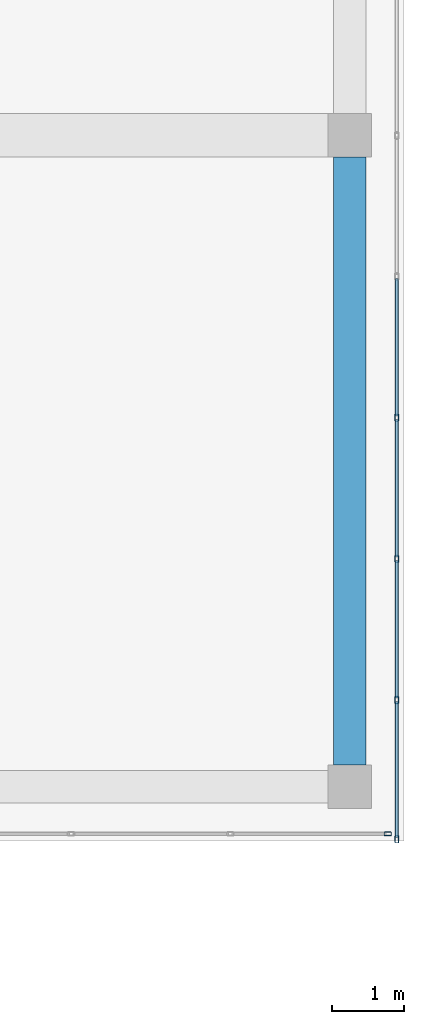
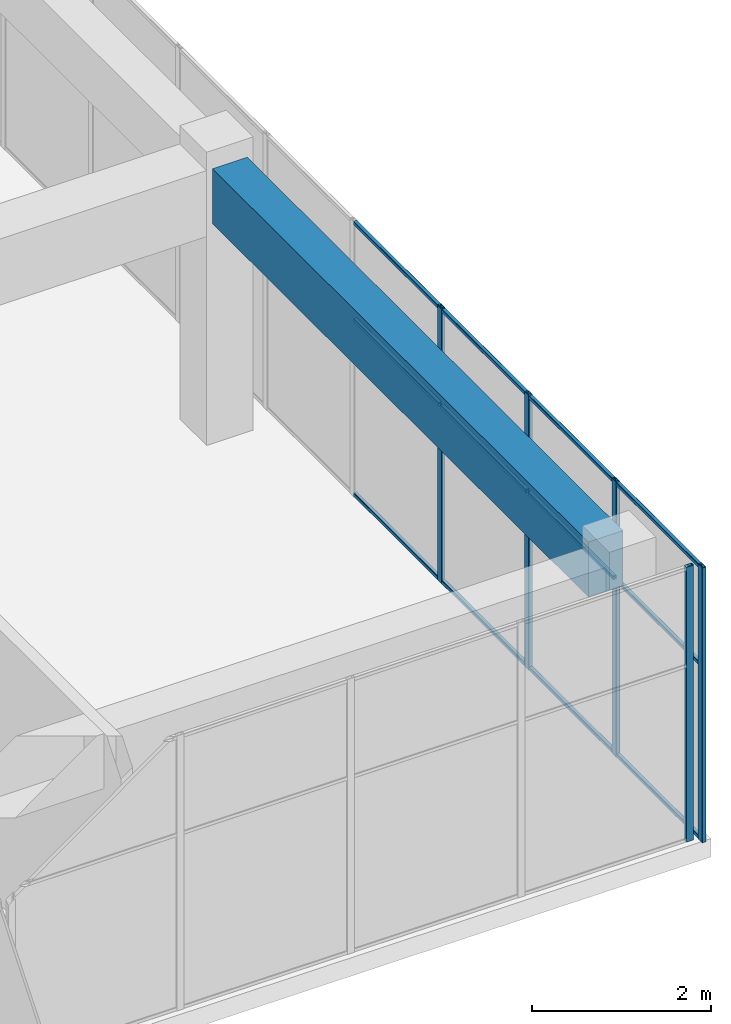
# One storey, part 17 of 35: 17 members, 1 beam, 2 elements without a shape of their own.
"""IFC4 building model written with IfcOpenShell, lengths in metres."""

from ifc_helpers import new_model, si_unit, direction, frame, origin, origin_2d, place, context, subcontext, project, spatial, rectangle, hollow_rectangle, extrude, material, layer, layer_set, material_profile, profile_set, type_object, element, aggregate, save


model = new_model("IFC4")

# Units and contexts
model_context = context("Model", 3, precision=1e-05, world=origin(), true_north=direction((0.0, 1.0)))
body_context = subcontext(model_context, "Body", "Model", "MODEL_VIEW")
ifc_project = project(units=[si_unit("LENGTHUNIT", "METRE"), si_unit("AREAUNIT", "SQUARE_METRE"), si_unit("VOLUMEUNIT", "CUBIC_METRE"), si_unit("PLANEANGLEUNIT", "RADIAN"), si_unit("MASSUNIT", "GRAM", prefix="KILO")], contexts=[model_context])

# Site, building, storey
site_placement = place(None, origin())
site = spatial("IfcSite", under=ifc_project, at=site_placement, CompositionType="ELEMENT")
building_placement = place(site_placement, origin())
building = spatial("IfcBuilding", under=site, at=building_placement, Name="Tuart Plaza Theatre", CompositionType="ELEMENT")
storey_placement = place(building_placement, frame((0.0, 0.0, 45.5)))
storey = spatial("IfcBuildingStorey", under=building, at=storey_placement, Name="L11", CompositionType="ELEMENT", Elevation=45.5)

# Beam
ifc_material_1 = material(Name="Concrete N40 (40 MPa)", Category="concrete")
ifc_material_profile_1 = material_profile(ifc_material_1, rectangle(XDim=0.449951171875, YDim=0.75, at=origin_2d()), Name="BEAM 450x750 Concrete N40 (40 MPa)")
ifc_profile_set_1 = profile_set([ifc_material_profile_1], Name="Concrete N40 (40 MPa)")
beam_type = type_object("IfcBeamType", Name="BEAM 450x750 Concrete N40 (40 MPa)", PredefinedType="BEAM", material=ifc_profile_set_1)
beam_placement = place(storey_placement, frame((150.0, 65.300048828125, 3.375), z_axis=(0.0, 1.0, 0.0), x_axis=(-1.0, 0.0, 0.0)))
element("IfcBeam", 1, at=beam_placement, inside=storey, type_object=beam_type, Name="RB309", PredefinedType="BEAM", context=body_context, shape_type="SweptSolid", body=[
    extrude(rectangle(XDim=0.449951171875, YDim=0.75, at=origin_2d()), origin(), (0.0, 0.0, 1.0), 8.39990234375),
])

# Curtain wall, member
ifc_material_2 = material(Name="Aluminium and glass", Category="aluminium")
ifc_layer = layer(ifc_material_2, 0.10009765625)
ifc_layer_set = layer_set([ifc_layer], Name="CURTAIN WALL 2000 module")
curtain_wall_type = type_object("IfcCurtainWallType", Name="CURTAIN WALL 2000 module", PredefinedType="NOTDEFINED", material=ifc_layer_set)
curtain_wall_1_placement = place(storey_placement, origin())
curtain_wall_1 = element("IfcCurtainWall", 2, at=curtain_wall_1_placement, inside=storey, type_object=curtain_wall_type, Name="CW101", PredefinedType="NOTDEFINED")
ifc_material_3 = material(Name="Aluminium 6063-T5", Category="aluminium")
ifc_material_profile_2 = material_profile(ifc_material_3, hollow_rectangle(XDim=0.050048828125, YDim=0.10009765625, WallThickness=0.00390625, InnerFilletRadius=0.00390625, OuterFilletRadius=0.008056640625, at=origin_2d()), Name="RHS 100x50x4")
ifc_profile_set_2 = profile_set([ifc_material_profile_2], Name="Aluminium 6063-T5")
member_type_1 = type_object("IfcMemberType", Name="MULLION RHS 100x50x4", PredefinedType="MULLION", material=ifc_profile_set_2)
member_1_placement = place(storey_placement, frame((150.52490234375, 64.35009765625, 0.0), z_axis=(0.0, 0.0, 1.0), x_axis=(0.0, 1.0, 0.0)))
member_1 = element("IfcMember", 3, at=member_1_placement, type_object=member_type_1, Name="CW101 mullion 5", PredefinedType="MULLION", context=body_context, shape_type="SweptSolid", body=[
    extrude(hollow_rectangle(XDim=0.050048828125, YDim=0.10009765625, WallThickness=0.00390625, InnerFilletRadius=0.00390625, OuterFilletRadius=0.008056640625, at=origin_2d()), origin(), (0.0, 0.0, 1.0), 3.75),
])
aggregate(curtain_wall_1, [member_1])

# Curtain wall, members
curtain_wall_2_placement = place(storey_placement, origin())
curtain_wall_2 = element("IfcCurtainWall", 4, at=curtain_wall_2_placement, inside=storey, type_object=curtain_wall_type, Name="CW102", PredefinedType="NOTDEFINED")
member_2_placement = place(storey_placement, frame((150.64990234375, 64.27490234375, 0.0), z_axis=(0.0, 0.0, 1.0), x_axis=(-1.0, 0.0, 0.0)))
member_2 = element("IfcMember", 5, at=member_2_placement, type_object=member_type_1, Name="CW102 mullion 1", PredefinedType="MULLION", context=body_context, shape_type="SweptSolid", body=[
    extrude(hollow_rectangle(XDim=0.050048828125, YDim=0.10009765625, WallThickness=0.00390625, InnerFilletRadius=0.00390625, OuterFilletRadius=0.008056640625, at=origin_2d()), origin(), (0.0, 0.0, 1.0), 3.75),
])
member_3_placement = place(storey_placement, frame((150.64990234375, 66.199951171875, 0.0), z_axis=(0.0, 0.0, 1.0), x_axis=(-1.0, 0.0, 0.0)))
member_3 = element("IfcMember", 6, at=member_3_placement, type_object=member_type_1, Name="CW102 mullion 2", PredefinedType="MULLION", context=body_context, shape_type="SweptSolid", body=[
    extrude(hollow_rectangle(XDim=0.050048828125, YDim=0.10009765625, WallThickness=0.00390625, InnerFilletRadius=0.00390625, OuterFilletRadius=0.008056640625, at=origin_2d()), origin(), (0.0, 0.0, 1.0), 3.75),
])
member_4_placement = place(storey_placement, frame((150.64990234375, 68.14990234375, 0.0), z_axis=(0.0, 0.0, 1.0), x_axis=(-1.0, 0.0, 0.0)))
member_4 = element("IfcMember", 7, at=member_4_placement, type_object=member_type_1, Name="CW102 mullion 3", PredefinedType="MULLION", context=body_context, shape_type="SweptSolid", body=[
    extrude(hollow_rectangle(XDim=0.050048828125, YDim=0.10009765625, WallThickness=0.00390625, InnerFilletRadius=0.00390625, OuterFilletRadius=0.008056640625, at=origin_2d()), origin(), (0.0, 0.0, 1.0), 3.75),
])
member_5_placement = place(storey_placement, frame((150.64990234375, 70.10009765625, 0.0), z_axis=(0.0, 0.0, 1.0), x_axis=(-1.0, 0.0, 0.0)))
member_5 = element("IfcMember", 8, at=member_5_placement, type_object=member_type_1, Name="CW102 mullion 4", PredefinedType="MULLION", context=body_context, shape_type="SweptSolid", body=[
    extrude(hollow_rectangle(XDim=0.050048828125, YDim=0.10009765625, WallThickness=0.00390625, InnerFilletRadius=0.00390625, OuterFilletRadius=0.008056640625, at=origin_2d()), origin(), (0.0, 0.0, 1.0), 3.75),
])
ifc_material_4 = material(Name="Aluminium 6063-T5", Category="aluminium")
ifc_material_profile_3 = material_profile(ifc_material_4, hollow_rectangle(XDim=0.050048828125, YDim=0.050048828125, WallThickness=0.00390625, InnerFilletRadius=0.00390625, OuterFilletRadius=0.008056640625, at=origin_2d()), Name="RHS 50x50x4")
ifc_profile_set_3 = profile_set([ifc_material_profile_3], Name="Aluminium 6063-T5")
member_type_2 = type_object("IfcMemberType", Name="TRANSOM RHS 50x50x4", PredefinedType="USERDEFINED", material=ifc_profile_set_3)
member_6_placement = place(storey_placement, frame((150.64990234375, 64.300048828125, 0.02490234375), z_axis=(0.0, 1.0, 0.0), x_axis=(-1.0, 0.0, 0.0)))
member_6 = element("IfcMember", 9, at=member_6_placement, type_object=member_type_2, Name="CW102 transom 1.1", ObjectType="TRANSOM", PredefinedType="USERDEFINED", context=body_context, shape_type="SweptSolid", body=[
    extrude(hollow_rectangle(XDim=0.050048828125, YDim=0.050048828125, WallThickness=0.00390625, InnerFilletRadius=0.00390625, OuterFilletRadius=0.008056640625, at=origin_2d()), origin(), (0.0, 0.0, 1.0), 1.875),
])
member_7_placement = place(storey_placement, frame((150.64990234375, 64.300048828125, 2.39990234375), z_axis=(0.0, 1.0, 0.0), x_axis=(-1.0, 0.0, 0.0)))
member_7 = element("IfcMember", 10, at=member_7_placement, type_object=member_type_2, Name="CW102 transom 1.2", ObjectType="TRANSOM", PredefinedType="USERDEFINED", context=body_context, shape_type="SweptSolid", body=[
    extrude(hollow_rectangle(XDim=0.050048828125, YDim=0.050048828125, WallThickness=0.00390625, InnerFilletRadius=0.00390625, OuterFilletRadius=0.008056640625, at=origin_2d()), origin(), (0.0, 0.0, 1.0), 1.875),
])
member_8_placement = place(storey_placement, frame((150.64990234375, 64.300048828125, 3.72509765625), z_axis=(0.0, 1.0, 0.0), x_axis=(-1.0, 0.0, 0.0)))
member_8 = element("IfcMember", 11, at=member_8_placement, type_object=member_type_2, Name="CW102 transom 1.3", ObjectType="TRANSOM", PredefinedType="USERDEFINED", context=body_context, shape_type="SweptSolid", body=[
    extrude(hollow_rectangle(XDim=0.050048828125, YDim=0.050048828125, WallThickness=0.00390625, InnerFilletRadius=0.00390625, OuterFilletRadius=0.008056640625, at=origin_2d()), origin(), (0.0, 0.0, 1.0), 1.875),
])
member_9_placement = place(storey_placement, frame((150.64990234375, 66.22509765625, 0.02490234375), z_axis=(0.0, 1.0, 0.0), x_axis=(-1.0, 0.0, 0.0)))
member_9 = element("IfcMember", 12, at=member_9_placement, type_object=member_type_2, Name="CW102 transom 2.1", ObjectType="TRANSOM", PredefinedType="USERDEFINED", context=body_context, shape_type="SweptSolid", body=[
    extrude(hollow_rectangle(XDim=0.050048828125, YDim=0.050048828125, WallThickness=0.00390625, InnerFilletRadius=0.00390625, OuterFilletRadius=0.008056640625, at=origin_2d()), origin(), (0.0, 0.0, 1.0), 1.89990234375),
])
member_10_placement = place(storey_placement, frame((150.64990234375, 66.22509765625, 2.39990234375), z_axis=(0.0, 1.0, 0.0), x_axis=(-1.0, 0.0, 0.0)))
member_10 = element("IfcMember", 13, at=member_10_placement, type_object=member_type_2, Name="CW102 transom 2.2", ObjectType="TRANSOM", PredefinedType="USERDEFINED", context=body_context, shape_type="SweptSolid", body=[
    extrude(hollow_rectangle(XDim=0.050048828125, YDim=0.050048828125, WallThickness=0.00390625, InnerFilletRadius=0.00390625, OuterFilletRadius=0.008056640625, at=origin_2d()), origin(), (0.0, 0.0, 1.0), 1.89990234375),
])
member_11_placement = place(storey_placement, frame((150.64990234375, 66.22509765625, 3.72509765625), z_axis=(0.0, 1.0, 0.0), x_axis=(-1.0, 0.0, 0.0)))
member_11 = element("IfcMember", 14, at=member_11_placement, type_object=member_type_2, Name="CW102 transom 2.3", ObjectType="TRANSOM", PredefinedType="USERDEFINED", context=body_context, shape_type="SweptSolid", body=[
    extrude(hollow_rectangle(XDim=0.050048828125, YDim=0.050048828125, WallThickness=0.00390625, InnerFilletRadius=0.00390625, OuterFilletRadius=0.008056640625, at=origin_2d()), origin(), (0.0, 0.0, 1.0), 1.89990234375),
])
member_12_placement = place(storey_placement, frame((150.64990234375, 68.175048828125, 0.02490234375), z_axis=(0.0, 1.0, 0.0), x_axis=(-1.0, 0.0, 0.0)))
member_12 = element("IfcMember", 15, at=member_12_placement, type_object=member_type_2, Name="CW102 transom 3.1", ObjectType="TRANSOM", PredefinedType="USERDEFINED", context=body_context, shape_type="SweptSolid", body=[
    extrude(hollow_rectangle(XDim=0.050048828125, YDim=0.050048828125, WallThickness=0.00390625, InnerFilletRadius=0.00390625, OuterFilletRadius=0.008056640625, at=origin_2d()), origin(), (0.0, 0.0, 1.0), 1.89990234375),
])
member_13_placement = place(storey_placement, frame((150.64990234375, 68.175048828125, 2.39990234375), z_axis=(0.0, 1.0, 0.0), x_axis=(-1.0, 0.0, 0.0)))
member_13 = element("IfcMember", 16, at=member_13_placement, type_object=member_type_2, Name="CW102 transom 3.2", ObjectType="TRANSOM", PredefinedType="USERDEFINED", context=body_context, shape_type="SweptSolid", body=[
    extrude(hollow_rectangle(XDim=0.050048828125, YDim=0.050048828125, WallThickness=0.00390625, InnerFilletRadius=0.00390625, OuterFilletRadius=0.008056640625, at=origin_2d()), origin(), (0.0, 0.0, 1.0), 1.89990234375),
])
member_14_placement = place(storey_placement, frame((150.64990234375, 68.175048828125, 3.72509765625), z_axis=(0.0, 1.0, 0.0), x_axis=(-1.0, 0.0, 0.0)))
member_14 = element("IfcMember", 17, at=member_14_placement, type_object=member_type_2, Name="CW102 transom 3.3", ObjectType="TRANSOM", PredefinedType="USERDEFINED", context=body_context, shape_type="SweptSolid", body=[
    extrude(hollow_rectangle(XDim=0.050048828125, YDim=0.050048828125, WallThickness=0.00390625, InnerFilletRadius=0.00390625, OuterFilletRadius=0.008056640625, at=origin_2d()), origin(), (0.0, 0.0, 1.0), 1.89990234375),
])
member_15_placement = place(storey_placement, frame((150.64990234375, 70.125, 0.02490234375), z_axis=(0.0, 1.0, 0.0), x_axis=(-1.0, 0.0, 0.0)))
member_15 = element("IfcMember", 18, at=member_15_placement, type_object=member_type_2, Name="CW102 transom 4.1", ObjectType="TRANSOM", PredefinedType="USERDEFINED", context=body_context, shape_type="SweptSolid", body=[
    extrude(hollow_rectangle(XDim=0.050048828125, YDim=0.050048828125, WallThickness=0.00390625, InnerFilletRadius=0.00390625, OuterFilletRadius=0.008056640625, at=origin_2d()), origin(), (0.0, 0.0, 1.0), 1.89990234375),
])
member_16_placement = place(storey_placement, frame((150.64990234375, 70.125, 2.39990234375), z_axis=(0.0, 1.0, 0.0), x_axis=(-1.0, 0.0, 0.0)))
member_16 = element("IfcMember", 19, at=member_16_placement, type_object=member_type_2, Name="CW102 transom 4.2", ObjectType="TRANSOM", PredefinedType="USERDEFINED", context=body_context, shape_type="SweptSolid", body=[
    extrude(hollow_rectangle(XDim=0.050048828125, YDim=0.050048828125, WallThickness=0.00390625, InnerFilletRadius=0.00390625, OuterFilletRadius=0.008056640625, at=origin_2d()), origin(), (0.0, 0.0, 1.0), 1.89990234375),
])
member_17_placement = place(storey_placement, frame((150.64990234375, 70.125, 3.72509765625), z_axis=(0.0, 1.0, 0.0), x_axis=(-1.0, 0.0, 0.0)))
member_17 = element("IfcMember", 20, at=member_17_placement, type_object=member_type_2, Name="CW102 transom 4.3", ObjectType="TRANSOM", PredefinedType="USERDEFINED", context=body_context, shape_type="SweptSolid", body=[
    extrude(hollow_rectangle(XDim=0.050048828125, YDim=0.050048828125, WallThickness=0.00390625, InnerFilletRadius=0.00390625, OuterFilletRadius=0.008056640625, at=origin_2d()), origin(), (0.0, 0.0, 1.0), 1.89990234375),
])
aggregate(curtain_wall_2, [member_2, member_3, member_4, member_5, member_6, member_7, member_8, member_9, member_10, member_11, member_12, member_13, member_14, member_15, member_16, member_17])

save(model, "model.ifc")
